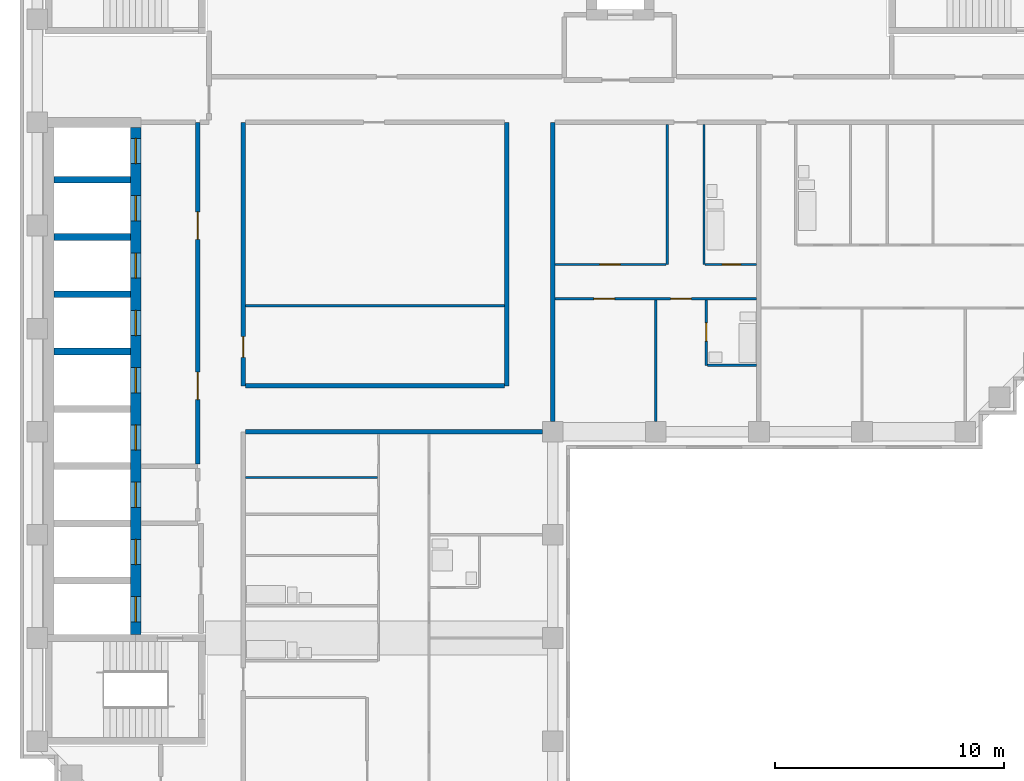
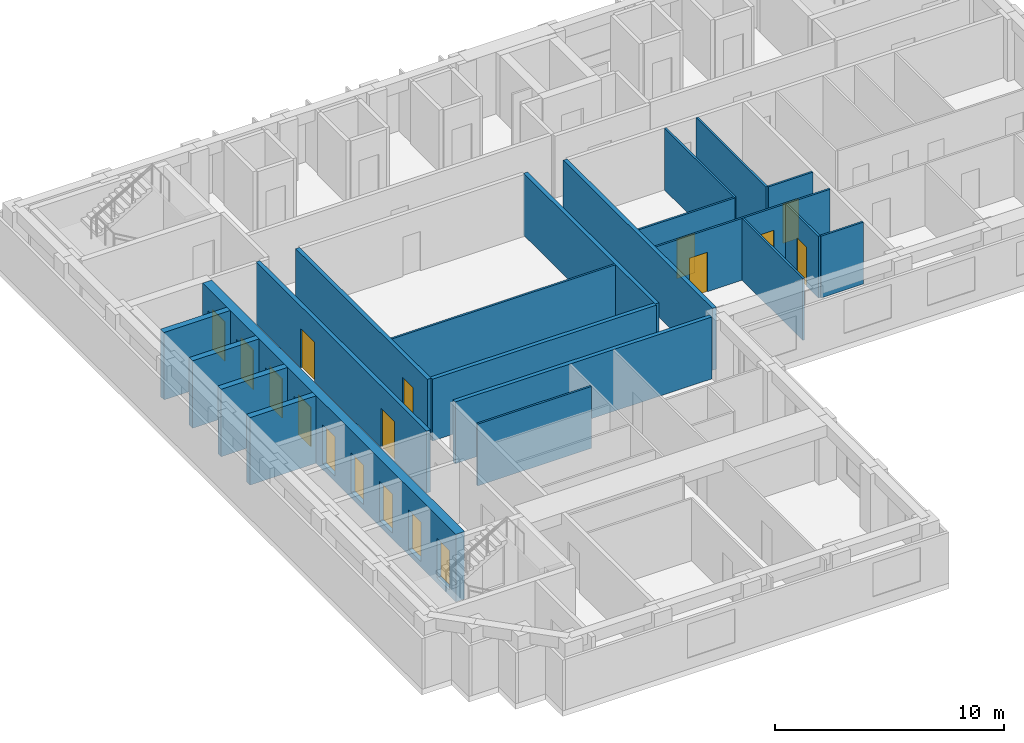
# One storey, part 3 of 8: 21 walls, 17 doors, 17 openings.
"""IFC4 building model written with IfcOpenShell, lengths in metres."""

from ifc_helpers import new_model, si_unit, direction, frame, frame_2d, origin, place, context, subcontext, project, spatial, rectangle, extrude, material, layer, layer_set, type_object, element, fill, save


model = new_model("IFC4")

# Units and contexts
model_context = context("Model", 3, precision=1e-05, world=origin(), true_north=direction((0.0, 1.0)))
body_context = subcontext(model_context, "Body", "Model", "MODEL_VIEW")
ifc_project = project(units=[si_unit("LENGTHUNIT", "METRE"), si_unit("AREAUNIT", "SQUARE_METRE"), si_unit("VOLUMEUNIT", "CUBIC_METRE"), si_unit("PLANEANGLEUNIT", "RADIAN"), si_unit("MASSUNIT", "GRAM", prefix="KILO")], contexts=[model_context])

# Site, building, storey
site_placement = place(None, origin())
site = spatial("IfcSite", under=ifc_project, at=site_placement, CompositionType="ELEMENT")
building_placement = place(site_placement, origin())
building = spatial("IfcBuilding", under=site, at=building_placement, Name="Firuza Court", CompositionType="ELEMENT")
storey_placement = place(building_placement, frame((0.0, 0.0, 236.60009765625)))
storey = spatial("IfcBuildingStorey", under=building, at=storey_placement, Name="L61", CompositionType="ELEMENT", Elevation=236.60009765625)

# Wall, opening, door
ifc_material_1 = material(Name="Moisture-resistant gypsum board partition")
ifc_layer_1 = layer(ifc_material_1, 0.10009765625)
ifc_layer_set_1 = layer_set([ifc_layer_1], Name="Moisture-resistant gypsum board partition")
wall_type_1 = type_object("IfcWallType", Name="Bathroom partition 100", PredefinedType="PLUMBINGWALL", material=ifc_layer_set_1)
wall_1_placement = place(storey_placement, frame((29.199951171875, 38.89990234375, 0.0), z_axis=(0.0, 0.0, 1.0), x_axis=(0.0, 1.0, 0.0)))
wall_1 = element("IfcWall", 1, at=wall_1_placement, inside=storey, type_object=wall_type_1, Name="Bathroom partition 100 L61", PredefinedType="PLUMBINGWALL", context=body_context, shape_type="SweptSolid", body=[
    extrude(rectangle(XDim=2.85009765625, YDim=0.10009765625, at=frame_2d((1.425048828125, 0.0))), origin(), (0.0, 0.0, 1.0), 3.2998046875),
])
opening_1_placement = place(wall_1_placement, frame((1.050048828125, 0.0, 0.0)))
opening_1 = element("IfcOpeningElement", 2, at=opening_1_placement, cuts=wall_1, Name="Opening D61025", PredefinedType="OPENING", context=body_context, shape_type="SweptSolid", body=[
    extrude(rectangle(XDim=0.800048828125, YDim=2.10009765625, at=frame_2d((0.39990234375, 1.050048828125))), frame((0.0, 0.06201171875, 0.0), z_axis=(0.0, -1.0, 0.0), x_axis=(1.0, 0.0, 0.0)), (0.0, 0.0, 1.0), 0.1240234375),
])
ifc_material_2 = material(Name="Timber door leaf in hardwood frame", Category="wood")
door_type_1 = type_object("IfcDoorType", Name="Bathroom door 800", OperationType="SINGLE_SWING_LEFT", PredefinedType="DOOR", material=ifc_material_2)
door_1_placement = place(opening_1_placement, frame((0.800048828125, 0.0, 0.0), z_axis=(0.0, 0.0, 1.0), x_axis=(-1.0, 0.0, 0.0)))
door_1 = element("IfcDoor", 3, at=door_1_placement, inside=storey, type_object=door_type_1, Name="En-suite door", OperationType="SINGLE_SWING_RIGHT", OverallHeight=2.10009765625, OverallWidth=0.800048828125, PredefinedType="DOOR", context=body_context, shape_type="SweptSolid", body=[
    extrude(rectangle(XDim=0.800048828125, YDim=2.10009765625, at=frame_2d((0.39990234375, 1.050048828125))), frame((0.0, 0.02490234375, 0.0), z_axis=(0.0, -1.0, 0.0), x_axis=(1.0, 0.0, 0.0)), (0.0, 0.0, 1.0), 0.050048828125),
])
fill(opening_1, door_1)

# Walls
wall_2_placement = place(storey_placement, frame((29.25, 38.89990234375, 0.0), z_axis=(0.0, 0.0, 1.0), x_axis=(1.0, 0.0, 0.0)))
element("IfcWall", 4, at=wall_2_placement, inside=storey, type_object=wall_type_1, Name="Bathroom partition 100 L61", PredefinedType="PLUMBINGWALL", context=body_context, shape_type="SweptSolid", body=[
    extrude(rectangle(XDim=2.14990234375, YDim=0.10009765625, at=frame_2d((1.074951171875, 0.0))), origin(), (0.0, 0.0, 1.0), 3.2998046875),
])
wall_3_placement = place(storey_placement, frame((29.10009765625, 43.300048828125, 0.0), z_axis=(0.0, 0.0, 1.0), x_axis=(0.0, 1.0, 0.0)))
element("IfcWall", 5, at=wall_3_placement, inside=storey, type_object=wall_type_1, Name="Bathroom partition 100 L61", PredefinedType="PLUMBINGWALL", context=body_context, shape_type="SweptSolid", body=[
    extrude(rectangle(XDim=6.099853515625, YDim=0.10009765625, at=frame_2d((3.0498046875, 0.0))), origin(), (0.0, 0.0, 1.0), 3.2998046875),
])
ifc_material_3 = material(Name="Concrete C50/60", Category="concrete")
ifc_layer_2 = layer(ifc_material_3, 0.300048828125)
ifc_layer_set_2 = layer_set([ifc_layer_2], Name="Concrete C50/60")
wall_type_2 = type_object("IfcWallType", Name="Core wall 300 C50/60", PredefinedType="SHEAR", material=ifc_layer_set_2)
for number, where, z_axis, x_axis, name in (
    (6, (0.72509765625, 39.5, -0.300048828125), (0.0, 0.0, 1.0), (1.0, 0.0, 0.0), "Core wall lift shaft L61"),
    (7, (0.72509765625, 42.0, -0.300048828125), (0.0, 0.0, 1.0), (1.0, 0.0, 0.0), "Core wall lift shaft L61"),
    (8, (0.72509765625, 44.5, -0.300048828125), (0.0, 0.0, 1.0), (1.0, 0.0, 0.0), "Core wall lift shaft L61"),
    (9, (0.72509765625, 47.0, -0.300048828125), (0.0, 0.0, 1.0), (1.0, 0.0, 0.0), "Core wall lift shaft L61"),
):
    element("IfcWall", number, at=place(storey_placement, frame(where, z_axis=z_axis, x_axis=x_axis)), inside=storey, type_object=wall_type_2, Name=name, PredefinedType="SHEAR", context=body_context, shape_type="SweptSolid", body=[
        extrude(rectangle(XDim=3.349853515625, YDim=0.300048828125, at=frame_2d((1.6748046875, 0.0))), origin(), (0.0, 0.0, 1.0), 3.599853515625),
    ])

# Wall, openings, doors
ifc_layer_3 = layer(ifc_material_3, 0.449951171875)
ifc_layer_set_3 = layer_set([ifc_layer_3], Name="Concrete C50/60")
wall_type_3 = type_object("IfcWallType", Name="Core wall 450 C50/60", PredefinedType="SHEAR", material=ifc_layer_set_3)
wall_4_placement = place(storey_placement, frame((4.300048828125, 27.14990234375, -0.300048828125), z_axis=(0.0, 0.0, 1.0), x_axis=(0.0, 1.0, 0.0)))
wall_4 = element("IfcWall", 10, at=wall_4_placement, inside=storey, type_object=wall_type_3, Name="Core wall lift shaft L61", PredefinedType="SHEAR", context=body_context, shape_type="SweptSolid", body=[
    extrude(rectangle(XDim=22.125, YDim=0.449951171875, at=frame_2d((11.0625, 0.0))), origin(), (0.0, 0.0, 1.0), 3.599853515625),
])
opening_2_placement = place(wall_4_placement, frame((3.050048828125, 0.0, 0.300048828125)))
opening_2 = element("IfcOpeningElement", 11, at=opening_2_placement, cuts=wall_4, Name="Opening LD-FL1-61", PredefinedType="OPENING", context=body_context, shape_type="SweptSolid", body=[
    extrude(rectangle(XDim=1.10009765625, YDim=2.10009765625, at=frame_2d((0.550048828125, 1.050048828125))), frame((0.0, 0.23681640625, 0.0), z_axis=(0.0, -1.0, 0.0), x_axis=(1.0, 0.0, 0.0)), (0.0, 0.0, 1.0), 0.473876953125),
])
opening_3_placement = place(wall_4_placement, frame((0.550048828125, 0.0, 0.300048828125)))
opening_3 = element("IfcOpeningElement", 12, at=opening_3_placement, cuts=wall_4, Name="Opening LD-FL2-61", PredefinedType="OPENING", context=body_context, shape_type="SweptSolid", body=[
    extrude(rectangle(XDim=1.10009765625, YDim=2.10009765625, at=frame_2d((0.550048828125, 1.050048828125))), frame((0.0, 0.23681640625, 0.0), z_axis=(0.0, -1.0, 0.0), x_axis=(1.0, 0.0, 0.0)), (0.0, 0.0, 1.0), 0.473876953125),
])
opening_4_placement = place(wall_4_placement, frame((20.550048828125, 0.0, 0.300048828125)))
opening_4 = element("IfcOpeningElement", 13, at=opening_4_placement, cuts=wall_4, Name="Opening LD-HB1-61", PredefinedType="OPENING", context=body_context, shape_type="SweptSolid", body=[
    extrude(rectangle(XDim=1.10009765625, YDim=2.10009765625, at=frame_2d((0.550048828125, 1.050048828125))), frame((0.0, 0.23681640625, 0.0), z_axis=(0.0, -1.0, 0.0), x_axis=(1.0, 0.0, 0.0)), (0.0, 0.0, 1.0), 0.473876953125),
])
opening_5_placement = place(wall_4_placement, frame((18.050048828125, 0.0, 0.300048828125)))
opening_5 = element("IfcOpeningElement", 14, at=opening_5_placement, cuts=wall_4, Name="Opening LD-HB2-61", PredefinedType="OPENING", context=body_context, shape_type="SweptSolid", body=[
    extrude(rectangle(XDim=1.10009765625, YDim=2.10009765625, at=frame_2d((0.550048828125, 1.050048828125))), frame((0.0, 0.23681640625, 0.0), z_axis=(0.0, -1.0, 0.0), x_axis=(1.0, 0.0, 0.0)), (0.0, 0.0, 1.0), 0.473876953125),
])
opening_6_placement = place(wall_4_placement, frame((15.550048828125, 0.0, 0.300048828125)))
opening_6 = element("IfcOpeningElement", 15, at=opening_6_placement, cuts=wall_4, Name="Opening LD-HB3-61", PredefinedType="OPENING", context=body_context, shape_type="SweptSolid", body=[
    extrude(rectangle(XDim=1.10009765625, YDim=2.10009765625, at=frame_2d((0.550048828125, 1.050048828125))), frame((0.0, 0.23681640625, 0.0), z_axis=(0.0, -1.0, 0.0), x_axis=(1.0, 0.0, 0.0)), (0.0, 0.0, 1.0), 0.473876953125),
])
opening_7_placement = place(wall_4_placement, frame((13.050048828125, 0.0, 0.300048828125)))
opening_7 = element("IfcOpeningElement", 16, at=opening_7_placement, cuts=wall_4, Name="Opening LD-HB4-61", PredefinedType="OPENING", context=body_context, shape_type="SweptSolid", body=[
    extrude(rectangle(XDim=1.10009765625, YDim=2.10009765625, at=frame_2d((0.550048828125, 1.050048828125))), frame((0.0, 0.23681640625, 0.0), z_axis=(0.0, -1.0, 0.0), x_axis=(1.0, 0.0, 0.0)), (0.0, 0.0, 1.0), 0.473876953125),
])
opening_8_placement = place(wall_4_placement, frame((10.550048828125, 0.0, 0.300048828125)))
opening_8 = element("IfcOpeningElement", 17, at=opening_8_placement, cuts=wall_4, Name="Opening LD-HB5-61", PredefinedType="OPENING", context=body_context, shape_type="SweptSolid", body=[
    extrude(rectangle(XDim=1.10009765625, YDim=2.10009765625, at=frame_2d((0.550048828125, 1.050048828125))), frame((0.0, 0.23681640625, 0.0), z_axis=(0.0, -1.0, 0.0), x_axis=(1.0, 0.0, 0.0)), (0.0, 0.0, 1.0), 0.473876953125),
])
opening_9_placement = place(wall_4_placement, frame((8.050048828125, 0.0, 0.300048828125)))
opening_9 = element("IfcOpeningElement", 18, at=opening_9_placement, cuts=wall_4, Name="Opening LD-HB6-61", PredefinedType="OPENING", context=body_context, shape_type="SweptSolid", body=[
    extrude(rectangle(XDim=1.10009765625, YDim=2.10009765625, at=frame_2d((0.550048828125, 1.050048828125))), frame((0.0, 0.23681640625, 0.0), z_axis=(0.0, -1.0, 0.0), x_axis=(1.0, 0.0, 0.0)), (0.0, 0.0, 1.0), 0.473876953125),
])
opening_10_placement = place(wall_4_placement, frame((5.550048828125, 0.0, 0.300048828125)))
opening_10 = element("IfcOpeningElement", 19, at=opening_10_placement, cuts=wall_4, Name="Opening LD-SL1-61", PredefinedType="OPENING", context=body_context, shape_type="SweptSolid", body=[
    extrude(rectangle(XDim=1.10009765625, YDim=2.10009765625, at=frame_2d((0.550048828125, 1.050048828125))), frame((0.0, 0.23681640625, 0.0), z_axis=(0.0, -1.0, 0.0), x_axis=(1.0, 0.0, 0.0)), (0.0, 0.0, 1.0), 0.473876953125),
])
ifc_material_4 = material(Name="Stainless steel 1.4301 door leaf", Category="steel")
door_type_2 = type_object("IfcDoorType", Name="Lift landing door 1100", OperationType="SLIDING_TO_LEFT", PredefinedType="DOOR", material=ifc_material_4)
door_2_placement = place(opening_2_placement, origin())
door_2 = element("IfcDoor", 20, at=door_2_placement, inside=storey, type_object=door_type_2, Name="Landing door FL1", OperationType="SLIDING_TO_LEFT", OverallHeight=2.10009765625, OverallWidth=1.10009765625, PredefinedType="DOOR", context=body_context, shape_type="SweptSolid", body=[
    extrude(rectangle(XDim=1.10009765625, YDim=2.10009765625, at=frame_2d((0.550048828125, 1.050048828125))), frame((0.0, 0.02490234375, 0.0), z_axis=(0.0, -1.0, 0.0), x_axis=(1.0, 0.0, 0.0)), (0.0, 0.0, 1.0), 0.050048828125),
])
fill(opening_2, door_2)
door_3_placement = place(opening_3_placement, origin())
door_3 = element("IfcDoor", 21, at=door_3_placement, inside=storey, type_object=door_type_2, Name="Landing door FL2", OperationType="SLIDING_TO_LEFT", OverallHeight=2.10009765625, OverallWidth=1.10009765625, PredefinedType="DOOR", context=body_context, shape_type="SweptSolid", body=[
    extrude(rectangle(XDim=1.10009765625, YDim=2.10009765625, at=frame_2d((0.550048828125, 1.050048828125))), frame((0.0, 0.02490234375, 0.0), z_axis=(0.0, -1.0, 0.0), x_axis=(1.0, 0.0, 0.0)), (0.0, 0.0, 1.0), 0.050048828125),
])
fill(opening_3, door_3)
door_4_placement = place(opening_4_placement, origin())
door_4 = element("IfcDoor", 22, at=door_4_placement, inside=storey, type_object=door_type_2, Name="Landing door HB1", OperationType="SLIDING_TO_LEFT", OverallHeight=2.10009765625, OverallWidth=1.10009765625, PredefinedType="DOOR", context=body_context, shape_type="SweptSolid", body=[
    extrude(rectangle(XDim=1.10009765625, YDim=2.10009765625, at=frame_2d((0.550048828125, 1.050048828125))), frame((0.0, 0.02490234375, 0.0), z_axis=(0.0, -1.0, 0.0), x_axis=(1.0, 0.0, 0.0)), (0.0, 0.0, 1.0), 0.050048828125),
])
fill(opening_4, door_4)
door_5_placement = place(opening_5_placement, origin())
door_5 = element("IfcDoor", 23, at=door_5_placement, inside=storey, type_object=door_type_2, Name="Landing door HB2", OperationType="SLIDING_TO_LEFT", OverallHeight=2.10009765625, OverallWidth=1.10009765625, PredefinedType="DOOR", context=body_context, shape_type="SweptSolid", body=[
    extrude(rectangle(XDim=1.10009765625, YDim=2.10009765625, at=frame_2d((0.550048828125, 1.050048828125))), frame((0.0, 0.02490234375, 0.0), z_axis=(0.0, -1.0, 0.0), x_axis=(1.0, 0.0, 0.0)), (0.0, 0.0, 1.0), 0.050048828125),
])
fill(opening_5, door_5)
door_6_placement = place(opening_6_placement, origin())
door_6 = element("IfcDoor", 24, at=door_6_placement, inside=storey, type_object=door_type_2, Name="Landing door HB3", OperationType="SLIDING_TO_LEFT", OverallHeight=2.10009765625, OverallWidth=1.10009765625, PredefinedType="DOOR", context=body_context, shape_type="SweptSolid", body=[
    extrude(rectangle(XDim=1.10009765625, YDim=2.10009765625, at=frame_2d((0.550048828125, 1.050048828125))), frame((0.0, 0.02490234375, 0.0), z_axis=(0.0, -1.0, 0.0), x_axis=(1.0, 0.0, 0.0)), (0.0, 0.0, 1.0), 0.050048828125),
])
fill(opening_6, door_6)
door_7_placement = place(opening_7_placement, origin())
door_7 = element("IfcDoor", 25, at=door_7_placement, inside=storey, type_object=door_type_2, Name="Landing door HB4", OperationType="SLIDING_TO_LEFT", OverallHeight=2.10009765625, OverallWidth=1.10009765625, PredefinedType="DOOR", context=body_context, shape_type="SweptSolid", body=[
    extrude(rectangle(XDim=1.10009765625, YDim=2.10009765625, at=frame_2d((0.550048828125, 1.050048828125))), frame((0.0, 0.02490234375, 0.0), z_axis=(0.0, -1.0, 0.0), x_axis=(1.0, 0.0, 0.0)), (0.0, 0.0, 1.0), 0.050048828125),
])
fill(opening_7, door_7)
door_8_placement = place(opening_8_placement, origin())
door_8 = element("IfcDoor", 26, at=door_8_placement, inside=storey, type_object=door_type_2, Name="Landing door HB5", OperationType="SLIDING_TO_LEFT", OverallHeight=2.10009765625, OverallWidth=1.10009765625, PredefinedType="DOOR", context=body_context, shape_type="SweptSolid", body=[
    extrude(rectangle(XDim=1.10009765625, YDim=2.10009765625, at=frame_2d((0.550048828125, 1.050048828125))), frame((0.0, 0.02490234375, 0.0), z_axis=(0.0, -1.0, 0.0), x_axis=(1.0, 0.0, 0.0)), (0.0, 0.0, 1.0), 0.050048828125),
])
fill(opening_8, door_8)
door_9_placement = place(opening_9_placement, origin())
door_9 = element("IfcDoor", 27, at=door_9_placement, inside=storey, type_object=door_type_2, Name="Landing door HB6", OperationType="SLIDING_TO_LEFT", OverallHeight=2.10009765625, OverallWidth=1.10009765625, PredefinedType="DOOR", context=body_context, shape_type="SweptSolid", body=[
    extrude(rectangle(XDim=1.10009765625, YDim=2.10009765625, at=frame_2d((0.550048828125, 1.050048828125))), frame((0.0, 0.02490234375, 0.0), z_axis=(0.0, -1.0, 0.0), x_axis=(1.0, 0.0, 0.0)), (0.0, 0.0, 1.0), 0.050048828125),
])
fill(opening_9, door_9)
door_10_placement = place(opening_10_placement, origin())
door_10 = element("IfcDoor", 28, at=door_10_placement, inside=storey, type_object=door_type_2, Name="Landing door SL1", OperationType="SLIDING_TO_LEFT", OverallHeight=2.10009765625, OverallWidth=1.10009765625, PredefinedType="DOOR", context=body_context, shape_type="SweptSolid", body=[
    extrude(rectangle(XDim=1.10009765625, YDim=2.10009765625, at=frame_2d((0.550048828125, 1.050048828125))), frame((0.0, 0.02490234375, 0.0), z_axis=(0.0, -1.0, 0.0), x_axis=(1.0, 0.0, 0.0)), (0.0, 0.0, 1.0), 0.050048828125),
])
fill(opening_10, door_10)

# Wall, opening, door
ifc_material_5 = material(Name="Blockwork, plastered both sides", Category="masonry")
ifc_layer_4 = layer(ifc_material_5, 0.199951171875)
ifc_layer_set_4 = layer_set([ifc_layer_4], Name="Blockwork, plastered both sides")
wall_type_4 = type_object("IfcWallType", Name="Corridor wall 200", PredefinedType="PARTITIONING", material=ifc_layer_set_4)
wall_5_placement = place(storey_placement, frame((9.0, 38.0, 0.0), z_axis=(0.0, 0.0, 1.0), x_axis=(0.0, 1.0, 0.0)))
wall_5 = element("IfcWall", 29, at=wall_5_placement, inside=storey, type_object=wall_type_4, Name="Corridor wall 200 L61", PredefinedType="PARTITIONING", context=body_context, shape_type="SweptSolid", body=[
    extrude(rectangle(XDim=11.5, YDim=0.199951171875, at=frame_2d((5.75, 0.0))), origin(), (0.0, 0.0, 1.0), 3.2998046875),
])
opening_11_placement = place(wall_5_placement, frame((1.25, 0.0, 0.0)))
opening_11 = element("IfcOpeningElement", 30, at=opening_11_placement, cuts=wall_5, Name="Opening D61024", PredefinedType="OPENING", context=body_context, shape_type="SweptSolid", body=[
    extrude(rectangle(XDim=0.89990234375, YDim=2.10009765625, at=frame_2d((0.449951171875, 1.050048828125))), frame((0.0, 0.11181640625, 0.0), z_axis=(0.0, -1.0, 0.0), x_axis=(1.0, 0.0, 0.0)), (0.0, 0.0, 1.0), 0.223876953125),
])
ifc_material_6 = material(Name="Timber door leaf in hardwood frame", Category="wood")
door_type_3 = type_object("IfcDoorType", Name="Room door 900 EI 30", OperationType="SINGLE_SWING_LEFT", PredefinedType="DOOR", material=ifc_material_6)
door_11_placement = place(opening_11_placement, origin())
door_11 = element("IfcDoor", 31, at=door_11_placement, inside=storey, type_object=door_type_3, Name="Fitness studio door", OperationType="SINGLE_SWING_LEFT", OverallHeight=2.10009765625, OverallWidth=0.89990234375, PredefinedType="DOOR", context=body_context, shape_type="SweptSolid", body=[
    extrude(rectangle(XDim=0.89990234375, YDim=2.10009765625, at=frame_2d((0.449951171875, 1.050048828125))), frame((0.0, 0.02490234375, 0.0), z_axis=(0.0, -1.0, 0.0), x_axis=(1.0, 0.0, 0.0)), (0.0, 0.0, 1.0), 0.050048828125),
])
fill(opening_11, door_11)

# Walls
wall_6_placement = place(storey_placement, frame((9.10009765625, 38.0, 0.0), z_axis=(0.0, 0.0, 1.0), x_axis=(1.0, 0.0, 0.0)))
element("IfcWall", 32, at=wall_6_placement, inside=storey, type_object=wall_type_4, Name="Corridor wall 200 L61", PredefinedType="PARTITIONING", context=body_context, shape_type="SweptSolid", body=[
    extrude(rectangle(XDim=11.2998046875, YDim=0.199951171875, at=frame_2d((5.64990234375, 0.0))), origin(), (0.0, 0.0, 1.0), 3.2998046875),
])
wall_7_placement = place(storey_placement, frame((20.5, 38.0, 0.0), z_axis=(0.0, 0.0, 1.0), x_axis=(0.0, 1.0, 0.0)))
element("IfcWall", 33, at=wall_7_placement, inside=storey, type_object=wall_type_4, Name="Corridor wall 200 L61", PredefinedType="PARTITIONING", context=body_context, shape_type="SweptSolid", body=[
    extrude(rectangle(XDim=11.5, YDim=0.199951171875, at=frame_2d((5.75, 0.0))), origin(), (0.0, 0.0, 1.0), 3.2998046875),
])
ifc_material_7 = material(Name="Timber stud partition, plasterboard both sides", Category="wood")
ifc_layer_5 = layer(ifc_material_7, 0.10009765625)
ifc_layer_set_5 = layer_set([ifc_layer_5], Name="Timber stud partition, plasterboard both sides")
wall_type_5 = type_object("IfcWallType", Name="Partition wall 100", PredefinedType="PARTITIONING", material=ifc_layer_set_5)
wall_8_placement = place(storey_placement, frame((9.10009765625, 34.0, 0.0), z_axis=(0.0, 0.0, 1.0), x_axis=(1.0, 0.0, 0.0)))
element("IfcWall", 34, at=wall_8_placement, inside=storey, type_object=wall_type_5, Name="Partition wall 100 L61", PredefinedType="PARTITIONING", context=body_context, shape_type="SweptSolid", body=[
    extrude(rectangle(XDim=5.75, YDim=0.10009765625, at=frame_2d((2.875, 0.0))), origin(), (0.0, 0.0, 1.0), 3.2998046875),
])
wall_9_placement = place(storey_placement, frame((27.0, 36.449951171875, 0.0), z_axis=(0.0, 0.0, 1.0), x_axis=(0.0, 1.0, 0.0)))
element("IfcWall", 35, at=wall_9_placement, inside=storey, type_object=wall_type_5, Name="Partition wall 100 L61", PredefinedType="PARTITIONING", context=body_context, shape_type="SweptSolid", body=[
    extrude(rectangle(XDim=5.300048828125, YDim=0.10009765625, at=frame_2d((2.64990234375, 0.0))), origin(), (0.0, 0.0, 1.0), 3.2998046875),
])
wall_10_placement = place(storey_placement, frame((9.10009765625, 41.5, 0.0), z_axis=(0.0, 0.0, 1.0), x_axis=(1.0, 0.0, 0.0)))
element("IfcWall", 36, at=wall_10_placement, inside=storey, type_object=wall_type_5, Name="Partition wall 100 L61", PredefinedType="PARTITIONING", context=body_context, shape_type="SweptSolid", body=[
    extrude(rectangle(XDim=11.2998046875, YDim=0.10009765625, at=frame_2d((5.64990234375, 0.0))), origin(), (0.0, 0.0, 1.0), 3.2998046875),
])

# Wall, openings, doors
wall_11_placement = place(storey_placement, frame((22.60009765625, 41.800048828125, 0.0), z_axis=(0.0, 0.0, 1.0), x_axis=(1.0, 0.0, 0.0)))
wall_11 = element("IfcWall", 37, at=wall_11_placement, inside=storey, type_object=wall_type_5, Name="Partition wall 100 L61", PredefinedType="PARTITIONING", context=body_context, shape_type="SweptSolid", body=[
    extrude(rectangle(XDim=8.7998046875, YDim=0.10009765625, at=frame_2d((4.39990234375, 0.0))), origin(), (0.0, 0.0, 1.0), 3.2998046875),
])
opening_12_placement = place(wall_11_placement, frame((1.699951171875, 0.0, 0.0)))
opening_12 = element("IfcOpeningElement", 38, at=opening_12_placement, cuts=wall_11, Name="Opening D61029", PredefinedType="OPENING", context=body_context, shape_type="SweptSolid", body=[
    extrude(rectangle(XDim=0.89990234375, YDim=2.10009765625, at=frame_2d((0.449951171875, 1.050048828125))), frame((0.0, 0.06201171875, 0.0), z_axis=(0.0, -1.0, 0.0), x_axis=(1.0, 0.0, 0.0)), (0.0, 0.0, 1.0), 0.1240234375),
])
opening_13_placement = place(wall_11_placement, frame((5.050048828125, 0.0, 0.0)))
opening_13 = element("IfcOpeningElement", 39, at=opening_13_placement, cuts=wall_11, Name="Opening D61030", PredefinedType="OPENING", context=body_context, shape_type="SweptSolid", body=[
    extrude(rectangle(XDim=0.89990234375, YDim=2.10009765625, at=frame_2d((0.449951171875, 1.050048828125))), frame((0.0, 0.06201171875, 0.0), z_axis=(0.0, -1.0, 0.0), x_axis=(1.0, 0.0, 0.0)), (0.0, 0.0, 1.0), 0.1240234375),
])
ifc_material_8 = material(Name="Timber door leaf in hardwood frame", Category="wood")
door_type_4 = type_object("IfcDoorType", Name="Room door 900", OperationType="SINGLE_SWING_LEFT", PredefinedType="DOOR", material=ifc_material_8)
door_12_placement = place(opening_12_placement, frame((0.89990234375, 0.0, 0.0), z_axis=(0.0, 0.0, 1.0), x_axis=(-1.0, 0.0, 0.0)))
door_12 = element("IfcDoor", 40, at=door_12_placement, inside=storey, type_object=door_type_4, Name="Living room door", OperationType="SINGLE_SWING_RIGHT", OverallHeight=2.10009765625, OverallWidth=0.89990234375, PredefinedType="DOOR", context=body_context, shape_type="SweptSolid", body=[
    extrude(rectangle(XDim=0.89990234375, YDim=2.10009765625, at=frame_2d((0.449951171875, 1.050048828125))), frame((0.0, 0.02490234375, 0.0), z_axis=(0.0, -1.0, 0.0), x_axis=(1.0, 0.0, 0.0)), (0.0, 0.0, 1.0), 0.050048828125),
])
fill(opening_12, door_12)
door_13_placement = place(opening_13_placement, frame((0.89990234375, 0.0, 0.0), z_axis=(0.0, 0.0, 1.0), x_axis=(-1.0, 0.0, 0.0)))
door_13 = element("IfcDoor", 41, at=door_13_placement, inside=storey, type_object=door_type_4, Name="Bedroom door", OperationType="SINGLE_SWING_RIGHT", OverallHeight=2.10009765625, OverallWidth=0.89990234375, PredefinedType="DOOR", context=body_context, shape_type="SweptSolid", body=[
    extrude(rectangle(XDim=0.89990234375, YDim=2.10009765625, at=frame_2d((0.449951171875, 1.050048828125))), frame((0.0, 0.02490234375, 0.0), z_axis=(0.0, -1.0, 0.0), x_axis=(1.0, 0.0, 0.0)), (0.0, 0.0, 1.0), 0.050048828125),
])
fill(opening_13, door_13)

# Wall, opening, door
wall_12_placement = place(storey_placement, frame((22.60009765625, 43.300048828125, 0.0), z_axis=(0.0, 0.0, 1.0), x_axis=(1.0, 0.0, 0.0)))
wall_12 = element("IfcWall", 42, at=wall_12_placement, inside=storey, type_object=wall_type_5, Name="Partition wall 100 L61", PredefinedType="PARTITIONING", context=body_context, shape_type="SweptSolid", body=[
    extrude(rectangle(XDim=4.849853515625, YDim=0.10009765625, at=frame_2d((2.4248046875, 0.0))), origin(), (0.0, 0.0, 1.0), 3.2998046875),
])
opening_14_placement = place(wall_12_placement, frame((1.949951171875, 0.0, 0.0)))
opening_14 = element("IfcOpeningElement", 43, at=opening_14_placement, cuts=wall_12, Name="Opening D61031", PredefinedType="OPENING", context=body_context, shape_type="SweptSolid", body=[
    extrude(rectangle(XDim=0.89990234375, YDim=2.10009765625, at=frame_2d((0.449951171875, 1.050048828125))), frame((0.0, 0.06201171875, 0.0), z_axis=(0.0, -1.0, 0.0), x_axis=(1.0, 0.0, 0.0)), (0.0, 0.0, 1.0), 0.1240234375),
])
door_14_placement = place(opening_14_placement, origin())
door_14 = element("IfcDoor", 44, at=door_14_placement, inside=storey, type_object=door_type_4, Name="Kitchen door", OperationType="SINGLE_SWING_LEFT", OverallHeight=2.10009765625, OverallWidth=0.89990234375, PredefinedType="DOOR", context=body_context, shape_type="SweptSolid", body=[
    extrude(rectangle(XDim=0.89990234375, YDim=2.10009765625, at=frame_2d((0.449951171875, 1.050048828125))), frame((0.0, 0.02490234375, 0.0), z_axis=(0.0, -1.0, 0.0), x_axis=(1.0, 0.0, 0.0)), (0.0, 0.0, 1.0), 0.050048828125),
])
fill(opening_14, door_14)

# Wall
wall_13_placement = place(storey_placement, frame((27.5, 43.300048828125, 0.0), z_axis=(0.0, 0.0, 1.0), x_axis=(0.0, 1.0, 0.0)))
element("IfcWall", 45, at=wall_13_placement, inside=storey, type_object=wall_type_5, Name="Partition wall 100 L61", PredefinedType="PARTITIONING", context=body_context, shape_type="SweptSolid", body=[
    extrude(rectangle(XDim=6.099853515625, YDim=0.10009765625, at=frame_2d((3.0498046875, 0.0))), origin(), (0.0, 0.0, 1.0), 3.2998046875),
])

# Wall, opening, door
wall_14_placement = place(storey_placement, frame((29.14990234375, 43.300048828125, 0.0), z_axis=(0.0, 0.0, 1.0), x_axis=(1.0, 0.0, 0.0)))
wall_14 = element("IfcWall", 46, at=wall_14_placement, inside=storey, type_object=wall_type_5, Name="Partition wall 100 L61", PredefinedType="PARTITIONING", context=body_context, shape_type="SweptSolid", body=[
    extrude(rectangle(XDim=2.25, YDim=0.10009765625, at=frame_2d((1.125, 0.0))), origin(), (0.0, 0.0, 1.0), 3.2998046875),
])
opening_15_placement = place(wall_14_placement, frame((0.75, 0.0, 0.0)))
opening_15 = element("IfcOpeningElement", 47, at=opening_15_placement, cuts=wall_14, Name="Opening D61032", PredefinedType="OPENING", context=body_context, shape_type="SweptSolid", body=[
    extrude(rectangle(XDim=0.800048828125, YDim=2.10009765625, at=frame_2d((0.39990234375, 1.050048828125))), frame((0.0, 0.06201171875, 0.0), z_axis=(0.0, -1.0, 0.0), x_axis=(1.0, 0.0, 0.0)), (0.0, 0.0, 1.0), 0.1240234375),
])
door_15_placement = place(opening_15_placement, origin())
door_15 = element("IfcDoor", 48, at=door_15_placement, inside=storey, type_object=door_type_1, Name="Bathroom door", OperationType="SINGLE_SWING_LEFT", OverallHeight=2.10009765625, OverallWidth=0.800048828125, PredefinedType="DOOR", context=body_context, shape_type="SweptSolid", body=[
    extrude(rectangle(XDim=0.800048828125, YDim=2.10009765625, at=frame_2d((0.39990234375, 1.050048828125))), frame((0.0, 0.02490234375, 0.0), z_axis=(0.0, -1.0, 0.0), x_axis=(1.0, 0.0, 0.0)), (0.0, 0.0, 1.0), 0.050048828125),
])
fill(opening_15, door_15)

# Walls
ifc_layer_6 = layer(ifc_material_5, 0.199951171875)
ifc_layer_set_6 = layer_set([ifc_layer_6], Name="Blockwork, plastered both sides")
wall_type_6 = type_object("IfcWallType", Name="Party wall 200", PredefinedType="PARTITIONING", material=ifc_layer_set_6)
wall_15_placement = place(storey_placement, frame((9.10009765625, 36.0, 0.0), z_axis=(0.0, 0.0, 1.0), x_axis=(1.0, 0.0, 0.0)))
element("IfcWall", 49, at=wall_15_placement, inside=storey, type_object=wall_type_6, Name="Party wall 200 L61", PredefinedType="PARTITIONING", context=body_context, shape_type="SweptSolid", body=[
    extrude(rectangle(XDim=12.949951171875, YDim=0.199951171875, at=frame_2d((6.47509765625, 0.0))), origin(), (0.0, 0.0, 1.0), 3.2998046875),
])
wall_16_placement = place(storey_placement, frame((22.5, 36.449951171875, 0.0), z_axis=(0.0, 0.0, 1.0), x_axis=(0.0, 1.0, 0.0)))
element("IfcWall", 50, at=wall_16_placement, inside=storey, type_object=wall_type_6, Name="Party wall 200 L61", PredefinedType="PARTITIONING", context=body_context, shape_type="SweptSolid", body=[
    extrude(rectangle(XDim=13.050048828125, YDim=0.199951171875, at=frame_2d((6.52490234375, 0.0))), origin(), (0.0, 0.0, 1.0), 3.2998046875),
])

# Wall, openings, doors
ifc_material_9 = material(Name="Blockwork, fire-rated", Category="masonry")
ifc_layer_7 = layer(ifc_material_9, 0.199951171875)
ifc_layer_set_7 = layer_set([ifc_layer_7], Name="Blockwork, fire-rated")
wall_type_7 = type_object("IfcWallType", Name="Shaft wall 200", PredefinedType="PARTITIONING", material=ifc_layer_set_7)
wall_17_placement = place(storey_placement, frame((7.0, 34.60009765625, 0.0), z_axis=(0.0, 0.0, 1.0), x_axis=(0.0, 1.0, 0.0)))
wall_17 = element("IfcWall", 51, at=wall_17_placement, inside=storey, type_object=wall_type_7, Name="Shaft wall 200 L61", PredefinedType="PARTITIONING", context=body_context, shape_type="SweptSolid", body=[
    extrude(rectangle(XDim=14.89990234375, YDim=0.199951171875, at=frame_2d((7.449951171875, 0.0))), origin(), (0.0, 0.0, 1.0), 3.2998046875),
])
opening_16_placement = place(wall_17_placement, frame((2.800048828125, 0.0, 0.0)))
opening_16 = element("IfcOpeningElement", 52, at=opening_16_placement, cuts=wall_17, Name="Opening D61004", PredefinedType="OPENING", context=body_context, shape_type="SweptSolid", body=[
    extrude(rectangle(XDim=1.199951171875, YDim=2.10009765625, at=frame_2d((0.60009765625, 1.050048828125))), frame((0.0, 0.11181640625, 0.0), z_axis=(0.0, -1.0, 0.0), x_axis=(1.0, 0.0, 0.0)), (0.0, 0.0, 1.0), 0.223876953125),
])
opening_17_placement = place(wall_17_placement, frame((9.800048828125, 0.0, 0.0)))
opening_17 = element("IfcOpeningElement", 53, at=opening_17_placement, cuts=wall_17, Name="Opening D61005", PredefinedType="OPENING", context=body_context, shape_type="SweptSolid", body=[
    extrude(rectangle(XDim=1.199951171875, YDim=2.10009765625, at=frame_2d((0.60009765625, 1.050048828125))), frame((0.0, 0.11181640625, 0.0), z_axis=(0.0, -1.0, 0.0), x_axis=(1.0, 0.0, 0.0)), (0.0, 0.0, 1.0), 0.223876953125),
])
ifc_material_10 = material(Name="Timber door leaf in hardwood frame", Category="wood")
door_type_5 = type_object("IfcDoorType", Name="Lobby door 1200", OperationType="SINGLE_SWING_LEFT", PredefinedType="DOOR", material=ifc_material_10)
door_16_placement = place(opening_16_placement, origin())
door_16 = element("IfcDoor", 54, at=door_16_placement, inside=storey, type_object=door_type_5, Name="Lobby door", OperationType="SINGLE_SWING_LEFT", OverallHeight=2.10009765625, OverallWidth=1.199951171875, PredefinedType="DOOR", context=body_context, shape_type="SweptSolid", body=[
    extrude(rectangle(XDim=1.199951171875, YDim=2.10009765625, at=frame_2d((0.60009765625, 1.050048828125))), frame((0.0, 0.02490234375, 0.0), z_axis=(0.0, -1.0, 0.0), x_axis=(1.0, 0.0, 0.0)), (0.0, 0.0, 1.0), 0.050048828125),
])
fill(opening_16, door_16)
door_17_placement = place(opening_17_placement, origin())
door_17 = element("IfcDoor", 55, at=door_17_placement, inside=storey, type_object=door_type_5, Name="Lobby door", OperationType="SINGLE_SWING_RIGHT", OverallHeight=2.10009765625, OverallWidth=1.199951171875, PredefinedType="DOOR", context=body_context, shape_type="SweptSolid", body=[
    extrude(rectangle(XDim=1.199951171875, YDim=2.10009765625, at=frame_2d((0.60009765625, 1.050048828125))), frame((0.0, 0.02490234375, 0.0), z_axis=(0.0, -1.0, 0.0), x_axis=(1.0, 0.0, 0.0)), (0.0, 0.0, 1.0), 0.050048828125),
])
fill(opening_17, door_17)

save(model, "model.ifc")
